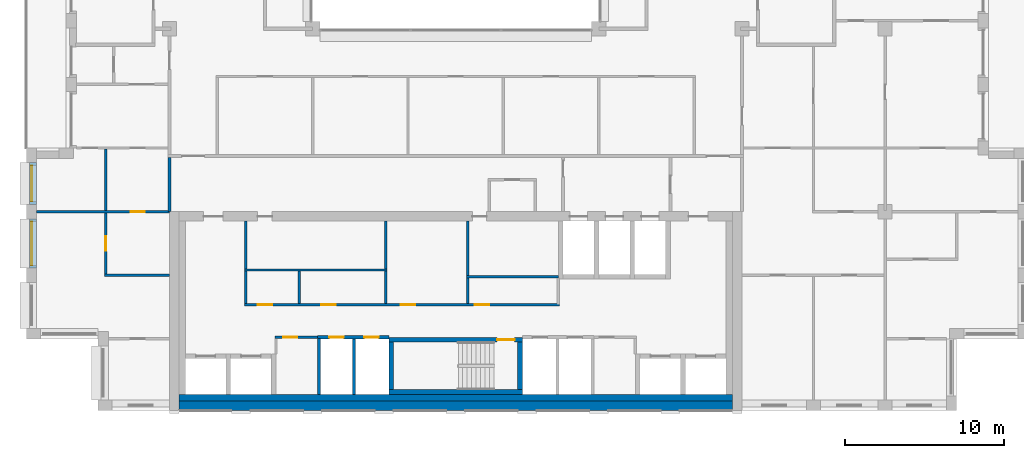
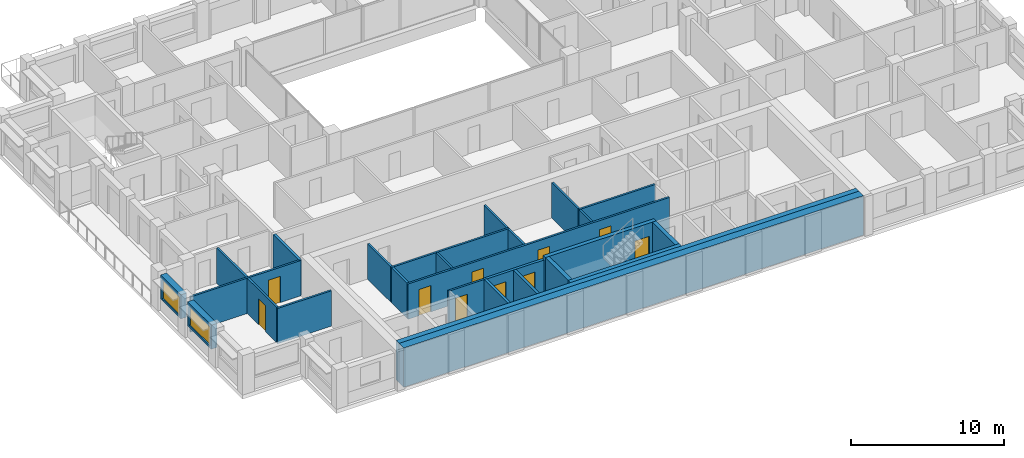
# One storey, part 8 of 16: 27 walls, 10 doors, 2 windows, 12 openings.
"""IFC4 building model written with IfcOpenShell, lengths in metres."""

from ifc_helpers import new_model, si_unit, direction, frame, frame_2d, origin, place, context, subcontext, project, spatial, rectangle, extrude, material, layer, layer_set, type_object, element, fill, save


model = new_model("IFC4")

# Units and contexts
model_context = context("Model", 3, precision=1e-05, world=origin(), true_north=direction((0.0, 1.0)))
body_context = subcontext(model_context, "Body", "Model", "MODEL_VIEW")
ifc_project = project(units=[si_unit("LENGTHUNIT", "METRE"), si_unit("AREAUNIT", "SQUARE_METRE"), si_unit("VOLUMEUNIT", "CUBIC_METRE"), si_unit("PLANEANGLEUNIT", "RADIAN"), si_unit("MASSUNIT", "GRAM", prefix="KILO")], contexts=[model_context])

# Site, building, storey
site_placement = place(None, origin())
site = spatial("IfcSite", under=ifc_project, at=site_placement, CompositionType="ELEMENT")
building_placement = place(site_placement, origin())
building = spatial("IfcBuilding", under=site, at=building_placement, Name="Brigalow Station Residences", CompositionType="ELEMENT")
storey_placement = place(building_placement, frame((0.0, 0.0, 201.14990234375)))
storey = spatial("IfcBuildingStorey", under=building, at=storey_placement, Name="L57", CompositionType="ELEMENT", Elevation=201.14990234375)

# Wall, opening, window
ifc_material_1 = material(Name="Clay brick masonry", Category="masonry")
ifc_layer_1 = layer(ifc_material_1, 0.449951171875)
ifc_layer_set_1 = layer_set([ifc_layer_1], Name="BRICK INFILL WALL 450")
wall_type_1 = type_object("IfcWallType", Name="BRICK INFILL WALL 450", PredefinedType="SOLIDWALL", material=ifc_layer_set_1)
wall_1_placement = place(storey_placement, frame((9.425048828125, 15.60009765625, 0.900146484375), z_axis=(0.0, 0.0, 1.0), x_axis=(0.0, -1.0, 0.0)))
wall_1 = element("IfcWall", 1, at=wall_1_placement, inside=storey, type_object=wall_type_1, Name="L57/ewall/W-L57-41", PredefinedType="SOLIDWALL", context=body_context, shape_type="SweptSolid", body=[
    extrude(rectangle(XDim=2.650146484375, YDim=0.449951171875, at=frame_2d((1.3251953125, 0.0))), origin(), (0.0, 0.0, 1.0), 1.929931640625),
])
opening_1_placement = place(wall_1_placement, frame((0.199951171875, 0.0, 0.14990234375)))
opening_1 = element("IfcOpeningElement", 2, at=opening_1_placement, cuts=wall_1, Name="Opening WT-6", PredefinedType="OPENING", context=body_context, shape_type="SweptSolid", body=[
    extrude(rectangle(XDim=2.25, YDim=1.5, at=frame_2d((1.125, 0.75))), frame((0.0, 0.23486328125, 0.0), z_axis=(0.0, -1.0, 0.0), x_axis=(1.0, 0.0, 0.0)), (0.0, 0.0, 1.0), 0.469970703125),
])
ifc_material_2 = material(Name="Anodised aluminium frame with double glazing", Category="aluminium")
window_type_1 = type_object("IfcWindowType", Name="WINDOW 2250x1500", PartitioningType="SINGLE_PANEL", PredefinedType="WINDOW", material=ifc_material_2)
window_1_placement = place(opening_1_placement, origin())
window_1 = element("IfcWindow", 3, at=window_1_placement, inside=storey, type_object=window_type_1, Name="L57/window/W-L57-41", OverallHeight=1.5, OverallWidth=2.25, PartitioningType="SINGLE_PANEL", PredefinedType="WINDOW", context=body_context, shape_type="SweptSolid", body=[
    extrude(rectangle(XDim=2.25, YDim=1.5, at=frame_2d((1.125, 0.75))), frame((0.0, -0.06494140625, 0.0), z_axis=(0.0, -1.0, 0.0), x_axis=(1.0, 0.0, 0.0)), (0.0, 0.0, 1.0), 0.06005859375),
])
fill(opening_1, window_1)

wall_2_placement = place(storey_placement, frame((9.425048828125, 12.050048828125, 0.900146484375), z_axis=(0.0, 0.0, 1.0), x_axis=(0.0, -1.0, 0.0)))
wall_2 = element("IfcWall", 4, at=wall_2_placement, inside=storey, type_object=wall_type_1, Name="L57/ewall/W-L57-42", PredefinedType="SOLIDWALL", context=body_context, shape_type="SweptSolid", body=[
    extrude(rectangle(XDim=3.10009765625, YDim=0.449951171875, at=frame_2d((1.550048828125, 0.0))), origin(), (0.0, 0.0, 1.0), 1.929931640625),
])
opening_2_placement = place(wall_2_placement, frame((0.175048828125, 0.0, 0.14990234375)))
opening_2 = element("IfcOpeningElement", 5, at=opening_2_placement, cuts=wall_2, Name="Opening WT-3", PredefinedType="OPENING", context=body_context, shape_type="SweptSolid", body=[
    extrude(rectangle(XDim=2.75, YDim=1.5, at=frame_2d((1.375, 0.75))), frame((0.0, 0.23486328125, 0.0), z_axis=(0.0, -1.0, 0.0), x_axis=(1.0, 0.0, 0.0)), (0.0, 0.0, 1.0), 0.469970703125),
])
ifc_material_3 = material(Name="Anodised aluminium frame with double glazing", Category="aluminium")
window_type_2 = type_object("IfcWindowType", Name="WINDOW 2750x1500", PartitioningType="SINGLE_PANEL", PredefinedType="WINDOW", material=ifc_material_3)
window_2_placement = place(opening_2_placement, origin())
window_2 = element("IfcWindow", 6, at=window_2_placement, inside=storey, type_object=window_type_2, Name="L57/window/W-L57-42", OverallHeight=1.5, OverallWidth=2.75, PartitioningType="SINGLE_PANEL", PredefinedType="WINDOW", context=body_context, shape_type="SweptSolid", body=[
    extrude(rectangle(XDim=2.75, YDim=1.5, at=frame_2d((1.375, 0.75))), frame((0.0, -0.06494140625, 0.0), z_axis=(0.0, -1.0, 0.0), x_axis=(1.0, 0.0, 0.0)), (0.0, 0.0, 1.0), 0.06005859375),
])
fill(opening_2, window_2)

# Wall
ifc_material_4 = material(Name="Concrete C50", Category="concrete")
ifc_layer_2 = layer(ifc_material_4, 0.300048828125)
ifc_layer_set_2 = layer_set([ifc_layer_2], Name="CORE SHEAR WALL 300 C50")
wall_type_2 = type_object("IfcWallType", Name="CORE SHEAR WALL 300 C50", PredefinedType="SHEAR", material=ifc_layer_set_2)
wall_3_placement = place(storey_placement, frame((31.800048828125, 1.14990234375, 0.0), z_axis=(0.0, 0.0, 1.0), x_axis=(1.0, 0.0, 0.0)))
element("IfcWall", 7, at=wall_3_placement, inside=storey, type_object=wall_type_2, Name="CORE WALL ST-S2-S L57", PredefinedType="SHEAR", context=body_context, shape_type="SweptSolid", body=[
    extrude(rectangle(XDim=8.39990234375, YDim=0.300048828125, at=frame_2d((4.199951171875, 0.0))), origin(), (0.0, 0.0, 1.0), 3.150146484375),
])

# Wall, opening, door
wall_4_placement = place(storey_placement, frame((31.800048828125, 4.449951171875, 0.0), z_axis=(0.0, 0.0, 1.0), x_axis=(1.0, 0.0, 0.0)))
wall_4 = element("IfcWall", 8, at=wall_4_placement, inside=storey, type_object=wall_type_2, Name="CORE WALL ST-S2-N L57", PredefinedType="SHEAR", context=body_context, shape_type="SweptSolid", body=[
    extrude(rectangle(XDim=8.39990234375, YDim=0.300048828125, at=frame_2d((4.199951171875, 0.0))), origin(), (0.0, 0.0, 1.0), 3.150146484375),
])
opening_3_placement = place(wall_4_placement, frame((6.800048828125, 0.0, 0.0)))
opening_3 = element("IfcOpeningElement", 9, at=opening_3_placement, cuts=wall_4, Name="Opening D-5001", PredefinedType="OPENING", context=body_context, shape_type="SweptSolid", body=[
    extrude(rectangle(XDim=1.10009765625, YDim=2.10009765625, at=frame_2d((0.550048828125, 1.050048828125))), frame((0.0, 0.16015625, 0.0), z_axis=(0.0, -1.0, 0.0), x_axis=(1.0, 0.0, 0.0)), (0.0, 0.0, 1.0), 0.320068359375),
])
ifc_material_5 = material(Name="Steel fire door leaf in steel frame", Category="steel")
door_type_1 = type_object("IfcDoorType", Name="STAIR DOOR 1100 x 2100 FD60S", OperationType="SINGLE_SWING_LEFT", PredefinedType="DOOR", material=ifc_material_5)
door_1_placement = place(opening_3_placement, frame((1.10009765625, 0.0, 0.0), z_axis=(0.0, 0.0, 1.0), x_axis=(-1.0, 0.0, 0.0)))
door_1 = element("IfcDoor", 10, at=door_1_placement, inside=storey, type_object=door_type_1, Name="D-5001", OperationType="SINGLE_SWING_LEFT", OverallHeight=2.10009765625, OverallWidth=1.10009765625, PredefinedType="DOOR", context=body_context, shape_type="SweptSolid", body=[
    extrude(rectangle(XDim=1.10009765625, YDim=2.10009765625, at=frame_2d((0.550048828125, 1.050048828125))), frame((0.0, 0.02490234375, 0.0), z_axis=(0.0, -1.0, 0.0), x_axis=(1.0, 0.0, 0.0)), (0.0, 0.0, 1.0), 0.050048828125),
])
fill(opening_3, door_1)

# Walls
for number, where, z_axis, x_axis, name in (
    (11, (31.949951171875, 1.300048828125, 0.0), (0.0, 0.0, 1.0), (0.0, 1.0, 0.0), "CORE WALL ST-S2-W L57"),
    (12, (40.050048828125, 1.300048828125, 0.0), (0.0, 0.0, 1.0), (0.0, 1.0, 0.0), "CORE WALL ST-S2-E L57"),
):
    element("IfcWall", number, at=place(storey_placement, frame(where, z_axis=z_axis, x_axis=x_axis)), inside=storey, type_object=wall_type_2, Name=name, PredefinedType="SHEAR", context=body_context, shape_type="SweptSolid", body=[
        extrude(rectangle(XDim=3.0, YDim=0.300048828125, at=frame_2d((1.5, 0.0))), origin(), (0.0, 0.0, 1.0), 3.150146484375),
    ])
ifc_material_6 = material(Name="Concrete C50", Category="concrete")
ifc_layer_3 = layer(ifc_material_6, 0.39990234375)
ifc_layer_set_3 = layer_set([ifc_layer_3], Name="CORE SHEAR WALL 400 C50")
wall_type_3 = type_object("IfcWallType", Name="CORE SHEAR WALL 400 C50", PredefinedType="SHEAR", material=ifc_layer_set_3)
wall_5_placement = place(storey_placement, frame((18.60009765625, 0.800048828125, 0.0), z_axis=(0.0, 0.0, 1.0), x_axis=(1.0, 0.0, 0.0)))
element("IfcWall", 13, at=wall_5_placement, inside=storey, type_object=wall_type_3, Name="CORE WALL LIN-S L57", PredefinedType="SHEAR", context=body_context, shape_type="SweptSolid", body=[
    extrude(rectangle(XDim=34.7998046875, YDim=0.39990234375, at=frame_2d((17.39990234375, 0.0))), origin(), (0.0, 0.0, 1.0), 3.150146484375),
])
ifc_material_7 = material(Name="Concrete C50", Category="concrete")
ifc_layer_4 = layer(ifc_material_7, 0.60009765625)
ifc_layer_set_4 = layer_set([ifc_layer_4], Name="CORE SHEAR WALL 600 C50")
wall_type_4 = type_object("IfcWallType", Name="CORE SHEAR WALL 600 C50", PredefinedType="SHEAR", material=ifc_layer_set_4)
wall_6_placement = place(storey_placement, frame((18.60009765625, 0.300048828125, 0.0), z_axis=(0.0, 0.0, 1.0), x_axis=(1.0, 0.0, 0.0)))
element("IfcWall", 14, at=wall_6_placement, inside=storey, type_object=wall_type_4, Name="CORE WALL OUT-S L57", PredefinedType="SHEAR", context=body_context, shape_type="SweptSolid", body=[
    extrude(rectangle(XDim=34.7998046875, YDim=0.60009765625, at=frame_2d((17.39990234375, 0.0))), origin(), (0.0, 0.0, 1.0), 3.150146484375),
])

# Wall, openings, doors
ifc_material_8 = material(Name="Concrete blockwork", Category="masonry")
ifc_layer_5 = layer(ifc_material_8, 0.199951171875)
ifc_layer_set_5 = layer_set([ifc_layer_5], Name="FIRE RATED CORE PARTITION 200")
wall_type_5 = type_object("IfcWallType", Name="FIRE RATED CORE PARTITION 200", PredefinedType="PARTITIONING", material=ifc_layer_set_5)
wall_7_placement = place(storey_placement, frame((27.300048828125, 4.60009765625, 0.0), z_axis=(0.0, 0.0, 1.0), x_axis=(1.0, 0.0, 0.0)))
wall_7 = element("IfcWall", 15, at=wall_7_placement, inside=storey, type_object=wall_type_5, Name="PW-5017", PredefinedType="PARTITIONING", context=body_context, shape_type="SweptSolid", body=[
    extrude(rectangle(XDim=4.5, YDim=0.199951171875, at=frame_2d((2.25, 0.0))), origin(), (0.0, 0.0, 1.0), 2.830078125),
])
opening_4_placement = place(wall_7_placement, frame((0.75, 0.0, 0.0)))
opening_4 = element("IfcOpeningElement", 16, at=opening_4_placement, cuts=wall_7, Name="Opening D-5007", PredefinedType="OPENING", context=body_context, shape_type="SweptSolid", body=[
    extrude(rectangle(XDim=0.89990234375, YDim=2.10009765625, at=frame_2d((0.449951171875, 1.050048828125))), frame((0.0, 0.10986328125, 0.0), z_axis=(0.0, -1.0, 0.0), x_axis=(1.0, 0.0, 0.0)), (0.0, 0.0, 1.0), 0.219970703125),
])
opening_5_placement = place(wall_7_placement, frame((2.949951171875, 0.0, 0.0)))
opening_5 = element("IfcOpeningElement", 17, at=opening_5_placement, cuts=wall_7, Name="Opening D-5008", PredefinedType="OPENING", context=body_context, shape_type="SweptSolid", body=[
    extrude(rectangle(XDim=0.89990234375, YDim=2.10009765625, at=frame_2d((0.449951171875, 1.050048828125))), frame((0.0, 0.10986328125, 0.0), z_axis=(0.0, -1.0, 0.0), x_axis=(1.0, 0.0, 0.0)), (0.0, 0.0, 1.0), 0.219970703125),
])
ifc_material_9 = material(Name="Steel fire door leaf in steel frame", Category="steel")
door_type_2 = type_object("IfcDoorType", Name="RISER ACCESS DOOR 900 x 2100 FD120", OperationType="SINGLE_SWING_LEFT", PredefinedType="DOOR", material=ifc_material_9)
door_2_placement = place(opening_4_placement, frame((0.89990234375, 0.0, 0.0), z_axis=(0.0, 0.0, 1.0), x_axis=(-1.0, 0.0, 0.0)))
door_2 = element("IfcDoor", 18, at=door_2_placement, inside=storey, type_object=door_type_2, Name="D-5007", OperationType="SINGLE_SWING_RIGHT", OverallHeight=2.10009765625, OverallWidth=0.89990234375, PredefinedType="DOOR", context=body_context, shape_type="SweptSolid", body=[
    extrude(rectangle(XDim=0.89990234375, YDim=2.10009765625, at=frame_2d((0.449951171875, 1.050048828125))), frame((0.0, 0.02490234375, 0.0), z_axis=(0.0, -1.0, 0.0), x_axis=(1.0, 0.0, 0.0)), (0.0, 0.0, 1.0), 0.050048828125),
])
fill(opening_4, door_2)
door_3_placement = place(opening_5_placement, frame((0.89990234375, 0.0, 0.0), z_axis=(0.0, 0.0, 1.0), x_axis=(-1.0, 0.0, 0.0)))
door_3 = element("IfcDoor", 19, at=door_3_placement, inside=storey, type_object=door_type_2, Name="D-5008", OperationType="SINGLE_SWING_RIGHT", OverallHeight=2.10009765625, OverallWidth=0.89990234375, PredefinedType="DOOR", context=body_context, shape_type="SweptSolid", body=[
    extrude(rectangle(XDim=0.89990234375, YDim=2.10009765625, at=frame_2d((0.449951171875, 1.050048828125))), frame((0.0, 0.02490234375, 0.0), z_axis=(0.0, -1.0, 0.0), x_axis=(1.0, 0.0, 0.0)), (0.0, 0.0, 1.0), 0.050048828125),
])
fill(opening_5, door_3)

# Walls
wall_8_placement = place(storey_placement, frame((27.39990234375, 1.0, 0.0), z_axis=(0.0, 0.0, 1.0), x_axis=(0.0, 1.0, 0.0)))
element("IfcWall", 20, at=wall_8_placement, inside=storey, type_object=wall_type_5, Name="PW-5027", PredefinedType="PARTITIONING", context=body_context, shape_type="SweptSolid", body=[
    extrude(rectangle(XDim=3.52490234375, YDim=0.199951171875, at=frame_2d((1.762451171875, 0.0))), origin(), (0.0, 0.0, 1.0), 2.830078125),
])
wall_9_placement = place(storey_placement, frame((29.60009765625, 1.0, 0.0), z_axis=(0.0, 0.0, 1.0), x_axis=(0.0, 1.0, 0.0)))
element("IfcWall", 21, at=wall_9_placement, inside=storey, type_object=wall_type_5, Name="PW-5006", PredefinedType="PARTITIONING", context=body_context, shape_type="SweptSolid", body=[
    extrude(rectangle(XDim=3.5, YDim=0.199951171875, at=frame_2d((1.75, 0.0))), origin(), (0.0, 0.0, 1.0), 2.830078125),
])
wall_10_placement = place(storey_placement, frame((18.0, 12.5, 0.0), z_axis=(0.0, 0.0, 1.0), x_axis=(0.0, 1.0, 0.0)))
element("IfcWall", 22, at=wall_10_placement, inside=storey, type_object=wall_type_5, Name="PW-5013", PredefinedType="PARTITIONING", context=body_context, shape_type="SweptSolid", body=[
    extrude(rectangle(XDim=3.39990234375, YDim=0.199951171875, at=frame_2d((1.699951171875, 0.0))), origin(), (0.0, 0.0, 1.0), 2.830078125),
])

# Wall, opening, door
ifc_material_10 = material(Name="Plasterboard on steel stud partition", Category="steel")
ifc_layer_6 = layer(ifc_material_10, 0.14990234375)
ifc_layer_set_6 = layer_set([ifc_layer_6], Name="FLAT PARTITION 150")
wall_type_6 = type_object("IfcWallType", Name="FLAT PARTITION 150", PredefinedType="PARTITIONING", material=ifc_layer_set_6)
wall_11_placement = place(storey_placement, frame((9.64990234375, 12.5, 0.0), z_axis=(0.0, 0.0, 1.0), x_axis=(1.0, 0.0, 0.0)))
wall_11 = element("IfcWall", 23, at=wall_11_placement, inside=storey, type_object=wall_type_6, Name="PW-4A12", PredefinedType="PARTITIONING", context=body_context, shape_type="SweptSolid", body=[
    extrude(rectangle(XDim=8.35009765625, YDim=0.14990234375, at=frame_2d((4.175048828125, 0.0))), origin(), (0.0, 0.0, 1.0), 2.830078125),
])
opening_6_placement = place(wall_11_placement, frame((5.89990234375, 0.0, 0.0)))
opening_6 = element("IfcOpeningElement", 24, at=opening_6_placement, cuts=wall_11, Name="Opening D-4A08", PredefinedType="OPENING", context=body_context, shape_type="SweptSolid", body=[
    extrude(rectangle(XDim=0.89990234375, YDim=2.10009765625, at=frame_2d((0.449951171875, 1.050048828125))), frame((0.0, 0.0849609375, 0.0), z_axis=(0.0, -1.0, 0.0), x_axis=(1.0, 0.0, 0.0)), (0.0, 0.0, 1.0), 0.169921875),
])
ifc_material_11 = material(Name="Solid-core timber door leaf", Category="wood")
door_type_3 = type_object("IfcDoorType", Name="INTERNAL DOOR 900 x 2100", OperationType="SINGLE_SWING_LEFT", PredefinedType="DOOR", material=ifc_material_11)
door_4_placement = place(opening_6_placement, origin())
door_4 = element("IfcDoor", 25, at=door_4_placement, inside=storey, type_object=door_type_3, Name="D-4A08", OperationType="SINGLE_SWING_LEFT", OverallHeight=2.10009765625, OverallWidth=0.89990234375, PredefinedType="DOOR", context=body_context, shape_type="SweptSolid", body=[
    extrude(rectangle(XDim=0.89990234375, YDim=2.10009765625, at=frame_2d((0.449951171875, 1.050048828125))), frame((0.0, 0.02490234375, 0.0), z_axis=(0.0, -1.0, 0.0), x_axis=(1.0, 0.0, 0.0)), (0.0, 0.0, 1.0), 0.050048828125),
])
fill(opening_6, door_4)

# Wall
wall_12_placement = place(storey_placement, frame((13.925048828125, 8.5, 0.0), z_axis=(0.0, 0.0, 1.0), x_axis=(1.0, 0.0, 0.0)))
element("IfcWall", 26, at=wall_12_placement, inside=storey, type_object=wall_type_6, Name="PW-4A14", PredefinedType="PARTITIONING", context=body_context, shape_type="SweptSolid", body=[
    extrude(rectangle(XDim=4.074951171875, YDim=0.14990234375, at=frame_2d((2.03759765625, 0.0))), origin(), (0.0, 0.0, 1.0), 2.830078125),
])

# Wall, opening, door
wall_13_placement = place(storey_placement, frame((14.0, 8.574951171875, 0.0), z_axis=(0.0, 0.0, 1.0), x_axis=(0.0, 1.0, 0.0)))
wall_13 = element("IfcWall", 27, at=wall_13_placement, inside=storey, type_object=wall_type_6, Name="PW-4A43", PredefinedType="PARTITIONING", context=body_context, shape_type="SweptSolid", body=[
    extrude(rectangle(XDim=3.85009765625, YDim=0.14990234375, at=frame_2d((1.925048828125, 0.0))), origin(), (0.0, 0.0, 1.0), 2.830078125),
])
opening_7_placement = place(wall_13_placement, frame((1.47509765625, 0.0, 0.0)))
opening_7 = element("IfcOpeningElement", 28, at=opening_7_placement, cuts=wall_13, Name="Opening D-4A09", PredefinedType="OPENING", context=body_context, shape_type="SweptSolid", body=[
    extrude(rectangle(XDim=0.89990234375, YDim=2.10009765625, at=frame_2d((0.449951171875, 1.050048828125))), frame((0.0, 0.0849609375, 0.0), z_axis=(0.0, -1.0, 0.0), x_axis=(1.0, 0.0, 0.0)), (0.0, 0.0, 1.0), 0.169921875),
])
door_5_placement = place(opening_7_placement, origin())
door_5 = element("IfcDoor", 29, at=door_5_placement, inside=storey, type_object=door_type_3, Name="D-4A09", OperationType="SINGLE_SWING_RIGHT", OverallHeight=2.10009765625, OverallWidth=0.89990234375, PredefinedType="DOOR", context=body_context, shape_type="SweptSolid", body=[
    extrude(rectangle(XDim=0.89990234375, YDim=2.10009765625, at=frame_2d((0.449951171875, 1.050048828125))), frame((0.0, 0.02490234375, 0.0), z_axis=(0.0, -1.0, 0.0), x_axis=(1.0, 0.0, 0.0)), (0.0, 0.0, 1.0), 0.050048828125),
])
fill(opening_7, door_5)

# Wall
wall_14_placement = place(storey_placement, frame((14.0, 12.574951171875, 0.0), z_axis=(0.0, 0.0, 1.0), x_axis=(0.0, 1.0, 0.0)))
element("IfcWall", 30, at=wall_14_placement, inside=storey, type_object=wall_type_6, Name="PW-4A44", PredefinedType="PARTITIONING", context=body_context, shape_type="SweptSolid", body=[
    extrude(rectangle(XDim=3.85009765625, YDim=0.14990234375, at=frame_2d((1.925048828125, 0.0))), origin(), (0.0, 0.0, 1.0), 2.830078125),
])

# Wall, opening, door
ifc_material_12 = material(Name="Plasterboard on steel studs", Category="steel")
ifc_layer_7 = layer(ifc_material_12, 0.14990234375)
ifc_layer_set_7 = layer_set([ifc_layer_7], Name="SERVICE ROOM PARTITION 150")
wall_type_7 = type_object("IfcWallType", Name="SERVICE ROOM PARTITION 150", PredefinedType="PARTITIONING", material=ifc_layer_set_7)
wall_15_placement = place(storey_placement, frame((24.625, 4.60009765625, 0.0), z_axis=(0.0, 0.0, 1.0), x_axis=(1.0, 0.0, 0.0)))
wall_15 = element("IfcWall", 31, at=wall_15_placement, inside=storey, type_object=wall_type_7, Name="PW-5155", PredefinedType="PARTITIONING", context=body_context, shape_type="SweptSolid", body=[
    extrude(rectangle(XDim=2.675048828125, YDim=0.14990234375, at=frame_2d((1.33740234375, 0.0))), origin(), (0.0, 0.0, 1.0), 2.830078125),
])
opening_8_placement = place(wall_15_placement, frame((0.52490234375, 0.0, 0.0)))
opening_8 = element("IfcOpeningElement", 32, at=opening_8_placement, cuts=wall_15, Name="Opening D-5087", PredefinedType="OPENING", context=body_context, shape_type="SweptSolid", body=[
    extrude(rectangle(XDim=0.89990234375, YDim=2.10009765625, at=frame_2d((0.449951171875, 1.050048828125))), frame((0.0, 0.0849609375, 0.0), z_axis=(0.0, -1.0, 0.0), x_axis=(1.0, 0.0, 0.0)), (0.0, 0.0, 1.0), 0.169921875),
])
ifc_material_13 = material(Name="Steel door leaf in steel frame", Category="steel")
door_type_4 = type_object("IfcDoorType", Name="SERVICE ROOM DOOR 900 x 2100 FD60", OperationType="SINGLE_SWING_LEFT", PredefinedType="DOOR", material=ifc_material_13)
door_6_placement = place(opening_8_placement, frame((0.89990234375, 0.0, 0.0), z_axis=(0.0, 0.0, 1.0), x_axis=(-1.0, 0.0, 0.0)))
door_6 = element("IfcDoor", 33, at=door_6_placement, inside=storey, type_object=door_type_4, Name="D-5087", OperationType="SINGLE_SWING_RIGHT", OverallHeight=2.10009765625, OverallWidth=0.89990234375, PredefinedType="DOOR", context=body_context, shape_type="SweptSolid", body=[
    extrude(rectangle(XDim=0.89990234375, YDim=2.10009765625, at=frame_2d((0.449951171875, 1.050048828125))), frame((0.0, 0.02490234375, 0.0), z_axis=(0.0, -1.0, 0.0), x_axis=(1.0, 0.0, 0.0)), (0.0, 0.0, 1.0), 0.050048828125),
])
fill(opening_8, door_6)

# Wall, openings, doors
wall_16_placement = place(storey_placement, frame((22.72509765625, 6.64990234375, 0.0), z_axis=(0.0, 0.0, 1.0), x_axis=(1.0, 0.0, 0.0)))
wall_16 = element("IfcWall", 34, at=wall_16_placement, inside=storey, type_object=wall_type_7, Name="PW-5195", PredefinedType="PARTITIONING", context=body_context, shape_type="SweptSolid", body=[
    extrude(rectangle(XDim=19.7998046875, YDim=0.14990234375, at=frame_2d((9.89990234375, 0.0))), origin(), (0.0, 0.0, 1.0), 2.830078125),
])
opening_9_placement = place(wall_16_placement, frame((0.824951171875, 0.0, 0.0)))
opening_9 = element("IfcOpeningElement", 35, at=opening_9_placement, cuts=wall_16, Name="Opening D-5110", PredefinedType="OPENING", context=body_context, shape_type="SweptSolid", body=[
    extrude(rectangle(XDim=0.89990234375, YDim=2.10009765625, at=frame_2d((0.449951171875, 1.050048828125))), frame((0.0, 0.0849609375, 0.0), z_axis=(0.0, -1.0, 0.0), x_axis=(1.0, 0.0, 0.0)), (0.0, 0.0, 1.0), 0.169921875),
])
opening_10_placement = place(wall_16_placement, frame((4.824951171875, 0.0, 0.0)))
opening_10 = element("IfcOpeningElement", 36, at=opening_10_placement, cuts=wall_16, Name="Opening D-5116", PredefinedType="OPENING", context=body_context, shape_type="SweptSolid", body=[
    extrude(rectangle(XDim=0.89990234375, YDim=2.10009765625, at=frame_2d((0.449951171875, 1.050048828125))), frame((0.0, 0.0849609375, 0.0), z_axis=(0.0, -1.0, 0.0), x_axis=(1.0, 0.0, 0.0)), (0.0, 0.0, 1.0), 0.169921875),
])
opening_11_placement = place(wall_16_placement, frame((9.824951171875, 0.0, 0.0)))
opening_11 = element("IfcOpeningElement", 37, at=opening_11_placement, cuts=wall_16, Name="Opening D-5117", PredefinedType="OPENING", context=body_context, shape_type="SweptSolid", body=[
    extrude(rectangle(XDim=0.89990234375, YDim=2.10009765625, at=frame_2d((0.449951171875, 1.050048828125))), frame((0.0, 0.0849609375, 0.0), z_axis=(0.0, -1.0, 0.0), x_axis=(1.0, 0.0, 0.0)), (0.0, 0.0, 1.0), 0.169921875),
])
opening_12_placement = place(wall_16_placement, frame((14.47509765625, 0.0, 0.0)))
opening_12 = element("IfcOpeningElement", 38, at=opening_12_placement, cuts=wall_16, Name="Opening D-5114", PredefinedType="OPENING", context=body_context, shape_type="SweptSolid", body=[
    extrude(rectangle(XDim=0.89990234375, YDim=2.10009765625, at=frame_2d((0.449951171875, 1.050048828125))), frame((0.0, 0.0849609375, 0.0), z_axis=(0.0, -1.0, 0.0), x_axis=(1.0, 0.0, 0.0)), (0.0, 0.0, 1.0), 0.169921875),
])
door_7_placement = place(opening_9_placement, origin())
door_7 = element("IfcDoor", 39, at=door_7_placement, inside=storey, type_object=door_type_4, Name="D-5110", OperationType="SINGLE_SWING_LEFT", OverallHeight=2.10009765625, OverallWidth=0.89990234375, PredefinedType="DOOR", context=body_context, shape_type="SweptSolid", body=[
    extrude(rectangle(XDim=0.89990234375, YDim=2.10009765625, at=frame_2d((0.449951171875, 1.050048828125))), frame((0.0, 0.02490234375, 0.0), z_axis=(0.0, -1.0, 0.0), x_axis=(1.0, 0.0, 0.0)), (0.0, 0.0, 1.0), 0.050048828125),
])
fill(opening_9, door_7)
door_8_placement = place(opening_10_placement, origin())
door_8 = element("IfcDoor", 40, at=door_8_placement, inside=storey, type_object=door_type_4, Name="D-5116", OperationType="SINGLE_SWING_LEFT", OverallHeight=2.10009765625, OverallWidth=0.89990234375, PredefinedType="DOOR", context=body_context, shape_type="SweptSolid", body=[
    extrude(rectangle(XDim=0.89990234375, YDim=2.10009765625, at=frame_2d((0.449951171875, 1.050048828125))), frame((0.0, 0.02490234375, 0.0), z_axis=(0.0, -1.0, 0.0), x_axis=(1.0, 0.0, 0.0)), (0.0, 0.0, 1.0), 0.050048828125),
])
fill(opening_10, door_8)
door_9_placement = place(opening_11_placement, origin())
door_9 = element("IfcDoor", 41, at=door_9_placement, inside=storey, type_object=door_type_4, Name="D-5117", OperationType="SINGLE_SWING_LEFT", OverallHeight=2.10009765625, OverallWidth=0.89990234375, PredefinedType="DOOR", context=body_context, shape_type="SweptSolid", body=[
    extrude(rectangle(XDim=0.89990234375, YDim=2.10009765625, at=frame_2d((0.449951171875, 1.050048828125))), frame((0.0, 0.02490234375, 0.0), z_axis=(0.0, -1.0, 0.0), x_axis=(1.0, 0.0, 0.0)), (0.0, 0.0, 1.0), 0.050048828125),
])
fill(opening_11, door_9)
door_10_placement = place(opening_12_placement, origin())
door_10 = element("IfcDoor", 42, at=door_10_placement, inside=storey, type_object=door_type_4, Name="D-5114", OperationType="SINGLE_SWING_LEFT", OverallHeight=2.10009765625, OverallWidth=0.89990234375, PredefinedType="DOOR", context=body_context, shape_type="SweptSolid", body=[
    extrude(rectangle(XDim=0.89990234375, YDim=2.10009765625, at=frame_2d((0.449951171875, 1.050048828125))), frame((0.0, 0.02490234375, 0.0), z_axis=(0.0, -1.0, 0.0), x_axis=(1.0, 0.0, 0.0)), (0.0, 0.0, 1.0), 0.050048828125),
])
fill(opening_12, door_10)

# Walls
wall_17_placement = place(storey_placement, frame((36.675048828125, 8.39990234375, 0.0), z_axis=(0.0, 0.0, 1.0), x_axis=(1.0, 0.0, 0.0)))
element("IfcWall", 43, at=wall_17_placement, inside=storey, type_object=wall_type_7, Name="PW-5204", PredefinedType="PARTITIONING", context=body_context, shape_type="SweptSolid", body=[
    extrude(rectangle(XDim=5.77490234375, YDim=0.14990234375, at=frame_2d((2.887451171875, 0.0))), origin(), (0.0, 0.0, 1.0), 2.830078125),
])
wall_18_placement = place(storey_placement, frame((22.72509765625, 8.830078125, 0.0), z_axis=(0.0, 0.0, 1.0), x_axis=(1.0, 0.0, 0.0)))
element("IfcWall", 44, at=wall_18_placement, inside=storey, type_object=wall_type_7, Name="PW-5205", PredefinedType="PARTITIONING", context=body_context, shape_type="SweptSolid", body=[
    extrude(rectangle(XDim=8.9599609375, YDim=0.14990234375, at=frame_2d((4.47998046875, 0.0))), origin(), (0.0, 0.0, 1.0), 2.830078125),
])
for number, where, z_axis, x_axis, name in (
    (45, (22.800048828125, 6.72509765625, 0.0), (0.0, 0.0, 1.0), (0.0, 1.0, 0.0), "PW-5207"),
    (46, (26.169921875, 6.72509765625, 0.0), (0.0, 0.0, 1.0), (0.0, 1.0, 0.0), "PW-5208"),
    (47, (31.610107421875, 6.72509765625, 0.0), (0.0, 0.0, 1.0), (0.0, 1.0, 0.0), "PW-5209"),
):
    element("IfcWall", number, at=place(storey_placement, frame(where, z_axis=z_axis, x_axis=x_axis)), inside=storey, type_object=wall_type_7, Name=name, PredefinedType="PARTITIONING", context=body_context, shape_type="SweptSolid", body=[
        extrude(rectangle(XDim=2.02978515625, YDim=0.14990234375, at=frame_2d((1.014892578125, 0.0))), origin(), (0.0, 0.0, 1.0), 2.830078125),
    ])
wall_19_placement = place(storey_placement, frame((36.75, 6.72509765625, 0.0), z_axis=(0.0, 0.0, 1.0), x_axis=(0.0, 1.0, 0.0)))
element("IfcWall", 48, at=wall_19_placement, inside=storey, type_object=wall_type_7, Name="PW-5210", PredefinedType="PARTITIONING", context=body_context, shape_type="SweptSolid", body=[
    extrude(rectangle(XDim=1.599853515625, YDim=0.14990234375, at=frame_2d((0.7998046875, 0.0))), origin(), (0.0, 0.0, 1.0), 2.830078125),
])
wall_20_placement = place(storey_placement, frame((36.75, 8.47509765625, 0.0), z_axis=(0.0, 0.0, 1.0), x_axis=(0.0, 1.0, 0.0)))
element("IfcWall", 49, at=wall_20_placement, inside=storey, type_object=wall_type_7, Name="PW-5211", PredefinedType="PARTITIONING", context=body_context, shape_type="SweptSolid", body=[
    extrude(rectangle(XDim=3.4248046875, YDim=0.14990234375, at=frame_2d((1.71240234375, 0.0))), origin(), (0.0, 0.0, 1.0), 2.830078125),
])
for number, where, z_axis, x_axis, name in (
    (50, (22.800048828125, 8.905029296875, 0.0), (0.0, 0.0, 1.0), (0.0, 1.0, 0.0), "PW-5212"),
    (51, (31.610107421875, 8.905029296875, 0.0), (0.0, 0.0, 1.0), (0.0, 1.0, 0.0), "PW-5213"),
):
    element("IfcWall", number, at=place(storey_placement, frame(where, z_axis=z_axis, x_axis=x_axis)), inside=storey, type_object=wall_type_7, Name=name, PredefinedType="PARTITIONING", context=body_context, shape_type="SweptSolid", body=[
        extrude(rectangle(XDim=2.994873046875, YDim=0.14990234375, at=frame_2d((1.49755859375, 0.0))), origin(), (0.0, 0.0, 1.0), 2.830078125),
    ])

save(model, "model.ifc")
